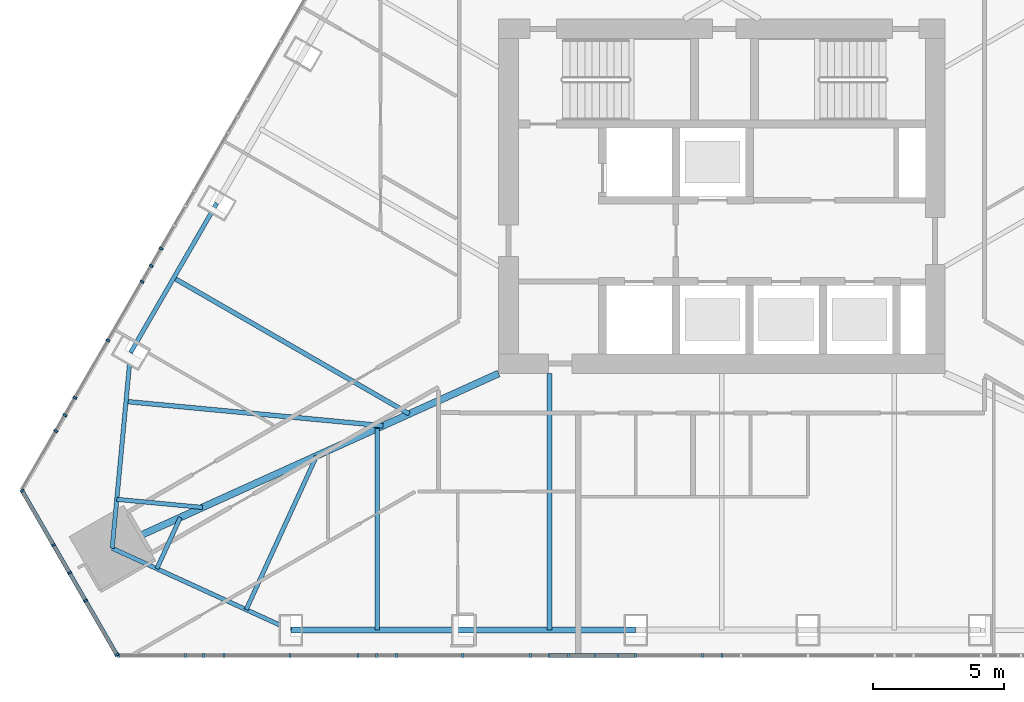
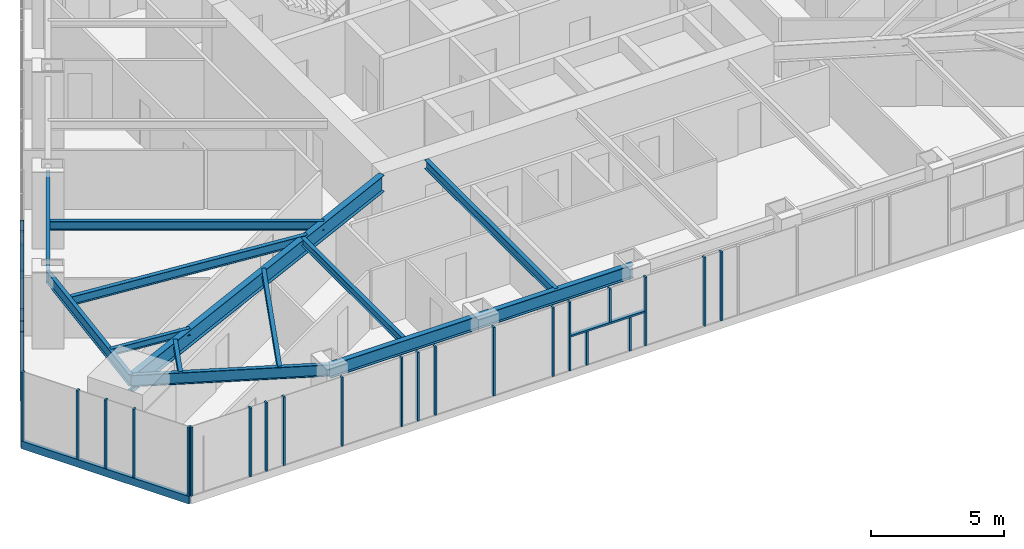
# One storey, part 2 of 20: 31 members, 12 beams, 3 elements without a shape of their own.
"""IFC4 building model written with IfcOpenShell, lengths in metres."""

from ifc_helpers import new_model, si_unit, direction, frame, origin, origin_2d, place, context, subcontext, project, spatial, rectangle, i_section, extrude, material, layer, layer_set, material_profile, profile_set, type_object, element, aggregate, save


model = new_model("IFC4")

# Units and contexts
model_context = context("Model", 3, precision=1e-05, world=origin(), true_north=direction((0.0, 1.0)))
body_context = subcontext(model_context, "Body", "Model", "MODEL_VIEW")
ifc_project = project(units=[si_unit("LENGTHUNIT", "METRE"), si_unit("AREAUNIT", "SQUARE_METRE"), si_unit("VOLUMEUNIT", "CUBIC_METRE"), si_unit("PLANEANGLEUNIT", "RADIAN"), si_unit("MASSUNIT", "GRAM", prefix="KILO")], contexts=[model_context])

# Site, building, storey
site_placement = place(None, origin())
site = spatial("IfcSite", under=ifc_project, at=site_placement, CompositionType="ELEMENT")
building_placement = place(site_placement, origin())
building = spatial("IfcBuilding", under=site, at=building_placement, Name="Firuza Gate Tower and Library", CompositionType="ELEMENT")
storey_placement = place(building_placement, frame((0.0, 0.0, 277.60009765625)))
storey = spatial("IfcBuildingStorey", under=building, at=storey_placement, Name="L66", CompositionType="ELEMENT", Elevation=277.60009765625)

# Curtain wall, members
ifc_material_1 = material(Name="Aluminium 6063-T6", Category="aluminium")
ifc_layer_1 = layer(ifc_material_1, 0.14990234375)
ifc_layer_set_1 = layer_set([ifc_layer_1], Name="Unitised curtain wall, residences")
curtain_wall_type_1 = type_object("IfcCurtainWallType", Name="Unitised curtain wall, residences", PredefinedType="NOTDEFINED", material=ifc_layer_set_1)
placement = place(storey_placement, origin())
curtain_wall_1 = element("IfcCurtainWall", 1, at=placement, inside=storey, type_object=curtain_wall_type_1, Name="CW3 L66 S face", PredefinedType="NOTDEFINED")
ifc_material_2 = material(Name="Aluminium 6063-T6", Category="aluminium")
ifc_material_profile_1 = material_profile(ifc_material_2, rectangle(XDim=0.14990234375, YDim=0.080078125, at=origin_2d()))
ifc_profile_set_1 = profile_set([ifc_material_profile_1], Name="Aluminium 6063-T6")
member_type_1 = type_object("IfcMemberType", Name="Curtain wall mullion 80x150", PredefinedType="MULLION", material=ifc_profile_set_1)
member_1_placement = place(storey_placement, frame((52.01806640625, 57.501220703125, 0.14990234375), z_axis=(0.0, 0.0, 1.0), x_axis=(0.0, 1.0, 0.0)))
member_1 = element("IfcMember", 2, at=member_1_placement, type_object=member_type_1, Name="Mullion", PredefinedType="MULLION", context=body_context, shape_type="SweptSolid", body=[
    extrude(rectangle(XDim=0.14990234375, YDim=0.080078125, at=origin_2d()), origin(), (0.0, 0.0, 1.0), 3.14990234375),
])
member_2_placement = place(storey_placement, frame((55.266845703125, 57.501220703125, 0.14990234375), z_axis=(0.0, 0.0, 1.0), x_axis=(0.0, 1.0, 0.0)))
member_2 = element("IfcMember", 3, at=member_2_placement, type_object=member_type_1, Name="Mullion", PredefinedType="MULLION", context=body_context, shape_type="SweptSolid", body=[
    extrude(rectangle(XDim=0.14990234375, YDim=0.080078125, at=origin_2d()), origin(), (0.0, 0.0, 1.0), 3.14990234375),
])
member_3_placement = place(storey_placement, frame((58.5556640625, 57.501220703125, 0.14990234375), z_axis=(0.0, 0.0, 1.0), x_axis=(0.0, 1.0, 0.0)))
member_3 = element("IfcMember", 4, at=member_3_placement, type_object=member_type_1, Name="Mullion", PredefinedType="MULLION", context=body_context, shape_type="SweptSolid", body=[
    extrude(rectangle(XDim=0.14990234375, YDim=0.080078125, at=origin_2d()), origin(), (0.0, 0.0, 1.0), 3.14990234375),
])
member_4_placement = place(storey_placement, frame((61.844482421875, 57.501220703125, 0.14990234375), z_axis=(0.0, 0.0, 1.0), x_axis=(0.0, 1.0, 0.0)))
member_4 = element("IfcMember", 5, at=member_4_placement, type_object=member_type_1, Name="Mullion", PredefinedType="MULLION", context=body_context, shape_type="SweptSolid", body=[
    extrude(rectangle(XDim=0.14990234375, YDim=0.080078125, at=origin_2d()), origin(), (0.0, 0.0, 1.0), 3.14990234375),
])
member_5_placement = place(storey_placement, frame((65.133544921875, 57.501220703125, 0.14990234375), z_axis=(0.0, 0.0, 1.0), x_axis=(0.0, 1.0, 0.0)))
member_5 = element("IfcMember", 6, at=member_5_placement, type_object=member_type_1, Name="Mullion", PredefinedType="MULLION", context=body_context, shape_type="SweptSolid", body=[
    extrude(rectangle(XDim=0.14990234375, YDim=0.080078125, at=origin_2d()), origin(), (0.0, 0.0, 1.0), 3.14990234375),
])
member_6_placement = place(storey_placement, frame((68.42236328125, 57.501220703125, 0.14990234375), z_axis=(0.0, 0.0, 1.0), x_axis=(0.0, 1.0, 0.0)))
member_6 = element("IfcMember", 7, at=member_6_placement, type_object=member_type_1, Name="Mullion", PredefinedType="MULLION", context=body_context, shape_type="SweptSolid", body=[
    extrude(rectangle(XDim=0.14990234375, YDim=0.080078125, at=origin_2d()), origin(), (0.0, 0.0, 1.0), 3.14990234375),
])
member_7_placement = place(storey_placement, frame((71.711181640625, 57.501220703125, 0.14990234375), z_axis=(0.0, 0.0, 1.0), x_axis=(0.0, 1.0, 0.0)))
member_7 = element("IfcMember", 8, at=member_7_placement, type_object=member_type_1, Name="Mullion", PredefinedType="MULLION", context=body_context, shape_type="SweptSolid", body=[
    extrude(rectangle(XDim=0.14990234375, YDim=0.080078125, at=origin_2d()), origin(), (0.0, 0.0, 1.0), 3.14990234375),
])
member_8_placement = place(storey_placement, frame((75.0, 57.501220703125, 0.14990234375), z_axis=(0.0, 0.0, 1.0), x_axis=(0.0, 1.0, 0.0)))
member_8 = element("IfcMember", 9, at=member_8_placement, type_object=member_type_1, Name="Mullion", PredefinedType="MULLION", context=body_context, shape_type="SweptSolid", body=[
    extrude(rectangle(XDim=0.14990234375, YDim=0.080078125, at=origin_2d()), origin(), (0.0, 0.0, 1.0), 3.14990234375),
])
member_9_placement = place(storey_placement, frame((54.57373046875, 57.501220703125, 0.14990234375), z_axis=(0.0, 0.0, 1.0), x_axis=(0.0, 1.0, 0.0)))
member_9 = element("IfcMember", 10, at=member_9_placement, type_object=member_type_1, Name="Mullion", PredefinedType="MULLION", context=body_context, shape_type="SweptSolid", body=[
    extrude(rectangle(XDim=0.14990234375, YDim=0.080078125, at=origin_2d()), origin(), (0.0, 0.0, 1.0), 3.14990234375),
])
member_10_placement = place(storey_placement, frame((56.0341796875, 57.501220703125, 0.14990234375), z_axis=(0.0, 0.0, 1.0), x_axis=(0.0, 1.0, 0.0)))
member_10 = element("IfcMember", 11, at=member_10_placement, type_object=member_type_1, Name="Mullion", PredefinedType="MULLION", context=body_context, shape_type="SweptSolid", body=[
    extrude(rectangle(XDim=0.14990234375, YDim=0.080078125, at=origin_2d()), origin(), (0.0, 0.0, 1.0), 3.14990234375),
])
member_11_placement = place(storey_placement, frame((61.13916015625, 57.501220703125, 0.14990234375), z_axis=(0.0, 0.0, 1.0), x_axis=(0.0, 1.0, 0.0)))
member_11 = element("IfcMember", 12, at=member_11_placement, type_object=member_type_1, Name="Mullion", PredefinedType="MULLION", context=body_context, shape_type="SweptSolid", body=[
    extrude(rectangle(XDim=0.14990234375, YDim=0.080078125, at=origin_2d()), origin(), (0.0, 0.0, 1.0), 3.14990234375),
])
member_12_placement = place(storey_placement, frame((62.599609375, 57.501220703125, 0.14990234375), z_axis=(0.0, 0.0, 1.0), x_axis=(0.0, 1.0, 0.0)))
member_12 = element("IfcMember", 13, at=member_12_placement, type_object=member_type_1, Name="Mullion", PredefinedType="MULLION", context=body_context, shape_type="SweptSolid", body=[
    extrude(rectangle(XDim=0.14990234375, YDim=0.080078125, at=origin_2d()), origin(), (0.0, 0.0, 1.0), 3.14990234375),
])
member_13_placement = place(storey_placement, frame((67.704345703125, 57.501220703125, 0.14990234375), z_axis=(0.0, 0.0, 1.0), x_axis=(0.0, 1.0, 0.0)))
member_13 = element("IfcMember", 14, at=member_13_placement, type_object=member_type_1, Name="Mullion", PredefinedType="MULLION", context=body_context, shape_type="SweptSolid", body=[
    extrude(rectangle(XDim=0.14990234375, YDim=0.080078125, at=origin_2d()), origin(), (0.0, 0.0, 1.0), 3.14990234375),
])
member_14_placement = place(storey_placement, frame((69.164794921875, 57.501220703125, 0.14990234375), z_axis=(0.0, 0.0, 1.0), x_axis=(0.0, 1.0, 0.0)))
member_14 = element("IfcMember", 15, at=member_14_placement, type_object=member_type_1, Name="Mullion", PredefinedType="MULLION", context=body_context, shape_type="SweptSolid", body=[
    extrude(rectangle(XDim=0.14990234375, YDim=0.080078125, at=origin_2d()), origin(), (0.0, 0.0, 1.0), 1.534912109375),
])
member_15_placement = place(storey_placement, frame((71.040283203125, 57.501220703125, 0.14990234375), z_axis=(0.0, 0.0, 1.0), x_axis=(0.0, 1.0, 0.0)))
member_15 = element("IfcMember", 16, at=member_15_placement, type_object=member_type_1, Name="Mullion", PredefinedType="MULLION", context=body_context, shape_type="SweptSolid", body=[
    extrude(rectangle(XDim=0.14990234375, YDim=0.080078125, at=origin_2d()), origin(), (0.0, 0.0, 1.0), 1.534912109375),
])
member_16_placement = place(storey_placement, frame((70.1748046875, 57.501220703125, 1.764892578125), z_axis=(0.0, 0.0, 1.0), x_axis=(0.0, 1.0, 0.0)))
member_16 = element("IfcMember", 17, at=member_16_placement, type_object=member_type_1, Name="Mullion", PredefinedType="MULLION", context=body_context, shape_type="SweptSolid", body=[
    extrude(rectangle(XDim=0.14990234375, YDim=0.080078125, at=origin_2d()), origin(), (0.0, 0.0, 1.0), 1.534912109375),
])
member_17_placement = place(storey_placement, frame((74.269775390625, 57.501220703125, 0.14990234375), z_axis=(0.0, 0.0, 1.0), x_axis=(0.0, 1.0, 0.0)))
member_17 = element("IfcMember", 18, at=member_17_placement, type_object=member_type_1, Name="Mullion", PredefinedType="MULLION", context=body_context, shape_type="SweptSolid", body=[
    extrude(rectangle(XDim=0.14990234375, YDim=0.080078125, at=origin_2d()), origin(), (0.0, 0.0, 1.0), 3.14990234375),
])

curtain_wall_2 = element("IfcCurtainWall", 19, at=placement, inside=storey, type_object=curtain_wall_type_1, Name="CW3 L66 W face", PredefinedType="NOTDEFINED")
member_18_placement = place(storey_placement, frame((53.26806640625, 72.3564453125, 0.14990234375), z_axis=(0.0, 0.0, 1.0), x_axis=(0.866025403784, -0.5, 0.0)))
member_18 = element("IfcMember", 20, at=member_18_placement, type_object=member_type_1, Name="Mullion", PredefinedType="MULLION", context=body_context, shape_type="SweptSolid", body=[
    extrude(rectangle(XDim=0.14990234375, YDim=0.080078125, at=origin_2d()), origin(), (0.0, 0.0, 1.0), 3.14990234375),
])
member_19_placement = place(storey_placement, frame((51.62353515625, 69.50830078125, 0.14990234375), z_axis=(0.0, 0.0, 1.0), x_axis=(0.866025403784, -0.5, 0.0)))
member_19 = element("IfcMember", 21, at=member_19_placement, type_object=member_type_1, Name="Mullion", PredefinedType="MULLION", context=body_context, shape_type="SweptSolid", body=[
    extrude(rectangle(XDim=0.14990234375, YDim=0.080078125, at=origin_2d()), origin(), (0.0, 0.0, 1.0), 3.14990234375),
])
member_20_placement = place(storey_placement, frame((49.979248046875, 66.659912109375, 0.14990234375), z_axis=(0.0, 0.0, 1.0), x_axis=(0.866025403784, -0.5, 0.0)))
member_20 = element("IfcMember", 22, at=member_20_placement, type_object=member_type_1, Name="Mullion", PredefinedType="MULLION", context=body_context, shape_type="SweptSolid", body=[
    extrude(rectangle(XDim=0.14990234375, YDim=0.080078125, at=origin_2d()), origin(), (0.0, 0.0, 1.0), 3.14990234375),
])
member_21_placement = place(storey_placement, frame((53.6455078125, 73.01025390625, 0.14990234375), z_axis=(0.0, 0.0, 1.0), x_axis=(0.866025403784, -0.5, 0.0)))
member_21 = element("IfcMember", 23, at=member_21_placement, type_object=member_type_1, Name="Mullion", PredefinedType="MULLION", context=body_context, shape_type="SweptSolid", body=[
    extrude(rectangle(XDim=0.14990234375, YDim=0.080078125, at=origin_2d()), origin(), (0.0, 0.0, 1.0), 1.534912109375),
])
member_22_placement = place(storey_placement, frame((52.915283203125, 71.745361328125, 0.14990234375), z_axis=(0.0, 0.0, 1.0), x_axis=(0.866025403784, -0.5, 0.0)))
member_22 = element("IfcMember", 24, at=member_22_placement, type_object=member_type_1, Name="Mullion", PredefinedType="MULLION", context=body_context, shape_type="SweptSolid", body=[
    extrude(rectangle(XDim=0.14990234375, YDim=0.080078125, at=origin_2d()), origin(), (0.0, 0.0, 1.0), 3.14990234375),
])
member_23_placement = place(storey_placement, frame((50.36279296875, 67.324462890625, 0.14990234375), z_axis=(0.0, 0.0, 1.0), x_axis=(0.866025403784, -0.5, 0.0)))
member_23 = element("IfcMember", 25, at=member_23_placement, type_object=member_type_1, Name="Mullion", PredefinedType="MULLION", context=body_context, shape_type="SweptSolid", body=[
    extrude(rectangle(XDim=0.14990234375, YDim=0.080078125, at=origin_2d()), origin(), (0.0, 0.0, 1.0), 3.14990234375),
])
member_24_placement = place(storey_placement, frame((49.632568359375, 66.059814453125, 0.14990234375), z_axis=(0.0, 0.0, 1.0), x_axis=(0.866025403784, -0.5, 0.0)))
member_24 = element("IfcMember", 26, at=member_24_placement, type_object=member_type_1, Name="Mullion", PredefinedType="MULLION", context=body_context, shape_type="SweptSolid", body=[
    extrude(rectangle(XDim=0.14990234375, YDim=0.080078125, at=origin_2d()), origin(), (0.0, 0.0, 1.0), 3.14990234375),
])
aggregate(curtain_wall_2, [member_18, member_19, member_20, member_21, member_22, member_23, member_24])

ifc_material_3 = material(Name="Aluminium 6063-T6", Category="aluminium")
ifc_layer_2 = layer(ifc_material_3, 0.14990234375)
ifc_layer_set_2 = layer_set([ifc_layer_2], Name="Corner curtain wall, chamfers")
curtain_wall_type_2 = type_object("IfcCurtainWallType", Name="Corner curtain wall, chamfers", PredefinedType="NOTDEFINED", material=ifc_layer_set_2)
curtain_wall_3 = element("IfcCurtainWall", 27, at=placement, inside=storey, type_object=curtain_wall_type_2, Name="CW4 L66 SW corner", PredefinedType="NOTDEFINED")
member_25_placement = place(storey_placement, frame((48.354736328125, 63.777099609375, 0.14990234375), z_axis=(0.0, 0.0, 1.0), x_axis=(0.866025403784, 0.5, 0.0)))
member_25 = element("IfcMember", 28, at=member_25_placement, type_object=member_type_1, Name="Mullion", PredefinedType="MULLION", context=body_context, shape_type="SweptSolid", body=[
    extrude(rectangle(XDim=0.14990234375, YDim=0.080078125, at=origin_2d()), origin(), (0.0, 0.0, 1.0), 3.14990234375),
])
member_26_placement = place(storey_placement, frame((50.156494140625, 60.656494140625, 0.14990234375), z_axis=(0.0, 0.0, 1.0), x_axis=(0.866025403784, 0.5, 0.0)))
member_26 = element("IfcMember", 29, at=member_26_placement, type_object=member_type_1, Name="Mullion", PredefinedType="MULLION", context=body_context, shape_type="SweptSolid", body=[
    extrude(rectangle(XDim=0.14990234375, YDim=0.080078125, at=origin_2d()), origin(), (0.0, 0.0, 1.0), 3.14990234375),
])
member_27_placement = place(storey_placement, frame((51.9580078125, 57.535888671875, 0.14990234375), z_axis=(0.0, 0.0, 1.0), x_axis=(0.866025403784, 0.5, 0.0)))
member_27 = element("IfcMember", 30, at=member_27_placement, type_object=member_type_1, Name="Mullion", PredefinedType="MULLION", context=body_context, shape_type="SweptSolid", body=[
    extrude(rectangle(XDim=0.14990234375, YDim=0.080078125, at=origin_2d()), origin(), (0.0, 0.0, 1.0), 3.14990234375),
])
member_28_placement = place(storey_placement, frame((49.54541015625, 61.71484375, 0.14990234375), z_axis=(0.0, 0.0, 1.0), x_axis=(0.866025403784, 0.5, 0.0)))
member_28 = element("IfcMember", 31, at=member_28_placement, type_object=member_type_1, Name="Mullion", PredefinedType="MULLION", context=body_context, shape_type="SweptSolid", body=[
    extrude(rectangle(XDim=0.14990234375, YDim=0.080078125, at=origin_2d()), origin(), (0.0, 0.0, 1.0), 3.14990234375),
])
member_29_placement = place(storey_placement, frame((50.767578125, 59.59814453125, 0.14990234375), z_axis=(0.0, 0.0, 1.0), x_axis=(0.866025403784, 0.5, 0.0)))
member_29 = element("IfcMember", 32, at=member_29_placement, type_object=member_type_1, Name="Mullion", PredefinedType="MULLION", context=body_context, shape_type="SweptSolid", body=[
    extrude(rectangle(XDim=0.14990234375, YDim=0.080078125, at=origin_2d()), origin(), (0.0, 0.0, 1.0), 3.14990234375),
])
ifc_material_4 = material(Name="Aluminium 6063-T6", Category="aluminium")
ifc_material_profile_2 = material_profile(ifc_material_4, rectangle(XDim=0.14990234375, YDim=0.35009765625, at=origin_2d()))
ifc_profile_set_2 = profile_set([ifc_material_profile_2], Name="Aluminium 6063-T6")
member_type_2 = type_object("IfcMemberType", Name="Curtain wall transom 350x150", PredefinedType="USERDEFINED", material=ifc_profile_set_2)
member_30_placement = place(storey_placement, frame((48.334716796875, 63.811767578125, -0.025146484375), z_axis=(0.499991211061, -0.866030478021, 0.0), x_axis=(0.866030478021, 0.499991211061, 0.0)))
member_30 = element("IfcMember", 33, at=member_30_placement, type_object=member_type_2, Name="Transom", ObjectType="TRANSOM", PredefinedType="USERDEFINED", context=body_context, shape_type="SweptSolid", body=[
    extrude(rectangle(XDim=0.14990234375, YDim=0.35009765625, at=origin_2d()), origin(), (0.0, 0.0, 1.0), 7.286865234375),
])
aggregate(curtain_wall_3, [member_25, member_26, member_27, member_30, member_28, member_29])

# Member
ifc_material_5 = material(Name="Aluminium 6063-T6", Category="aluminium")
ifc_material_profile_3 = material_profile(ifc_material_5, rectangle(XDim=0.14990234375, YDim=0.080078125, at=origin_2d()))
ifc_profile_set_3 = profile_set([ifc_material_profile_3], Name="Aluminium 6063-T6")
member_type_3 = type_object("IfcMemberType", Name="Curtain wall transom 80x150", PredefinedType="USERDEFINED", material=ifc_profile_set_3)
member_31_placement = place(storey_placement, frame((68.46240234375, 57.501220703125, 1.724853515625), z_axis=(1.0, 0.0, 0.0), x_axis=(0.0, 1.0, 0.0)))
member_31 = element("IfcMember", 34, at=member_31_placement, type_object=member_type_3, Name="Transom", ObjectType="TRANSOM", PredefinedType="USERDEFINED", context=body_context, shape_type="SweptSolid", body=[
    extrude(rectangle(XDim=0.14990234375, YDim=0.080078125, at=origin_2d()), origin(), (0.0, 0.0, 1.0), 3.208740234375),
])

aggregate(curtain_wall_1, [member_1, member_2, member_3, member_4, member_5, member_6, member_7, member_8, member_9, member_10, member_11, member_12, member_13, member_14, member_15, member_16, member_31, member_17])

# Beams
ifc_material_6 = material(Name="Steel S355", Category="steel")
ifc_material_profile_4 = material_profile(ifc_material_6, i_section(OverallWidth=0.1650390625, OverallDepth=0.31005859375, WebThickness=0.005859375, FlangeThickness=0.009765625, at=origin_2d()))
ifc_profile_set_4 = profile_set([ifc_material_profile_4], Name="Steel S355")
beam_type_1 = type_object("IfcBeamType", Name="W310x39 Floor beam", PredefinedType="JOIST", material=ifc_profile_set_4)
beam_1_placement = place(storey_placement, frame((51.9560546875, 63.457275390625, 3.14501953125), z_axis=(0.995581079201, -0.09390588233, 0.0), x_axis=(0.09390588233, 0.995581079201, 0.0)))
element("IfcBeam", 35, at=beam_1_placement, inside=storey, type_object=beam_type_1, Name="Floor beam L66 s01", PredefinedType="JOIST", context=body_context, shape_type="SweptSolid", body=[
    extrude(i_section(OverallWidth=0.1650390625, OverallDepth=0.31005859375, WebThickness=0.005859375, FlangeThickness=0.009765625, at=origin_2d()), origin(), (0.0, 0.0, 1.0), 3.2783203125),
])
beam_2_placement = place(storey_placement, frame((53.481689453125, 60.814697265625, 3.14501953125), z_axis=(0.416455154512, 0.909156259551, 0.0), x_axis=(-0.909156259551, 0.416455154512, 0.0)))
element("IfcBeam", 36, at=beam_2_placement, inside=storey, type_object=beam_type_1, Name="Floor beam L66 s10", PredefinedType="JOIST", context=body_context, shape_type="SweptSolid", body=[
    extrude(i_section(OverallWidth=0.1650390625, OverallDepth=0.31005859375, WebThickness=0.005859375, FlangeThickness=0.009765625, at=origin_2d()), origin(), (0.0, 0.0, 1.0), 2.1484375),
])
beam_3_placement = place(storey_placement, frame((56.885009765625, 59.255859375, 3.14501953125), z_axis=(0.416440813943, 0.909162828366, 0.0), x_axis=(-0.909162828366, 0.416440813943, 0.0)))
element("IfcBeam", 37, at=beam_3_placement, inside=storey, type_object=beam_type_1, Name="Floor beam L66 s11", PredefinedType="JOIST", context=body_context, shape_type="SweptSolid", body=[
    extrude(i_section(OverallWidth=0.1650390625, OverallDepth=0.31005859375, WebThickness=0.005859375, FlangeThickness=0.009765625, at=origin_2d()), origin(), (0.0, 0.0, 1.0), 6.44580078125),
])
ifc_material_7 = material(Name="Steel S355", Category="steel")
ifc_material_profile_5 = material_profile(ifc_material_7, i_section(OverallWidth=0.1708984375, OverallDepth=0.35498046875, WebThickness=0.007080078125, FlangeThickness=0.01171875, at=origin_2d()))
ifc_profile_set_5 = profile_set([ifc_material_profile_5], Name="Steel S355")
beam_type_2 = type_object("IfcBeamType", Name="W360x51 Floor beam", PredefinedType="JOIST", material=ifc_profile_set_5)
beam_4_placement = place(storey_placement, frame((61.869384765625, 58.476318359375, 3.122314453125), z_axis=(0.0, 1.0, 0.0), x_axis=(-1.0, 0.0, 0.0)))
element("IfcBeam", 38, at=beam_4_placement, inside=storey, type_object=beam_type_2, Name="Floor beam L66 s20", PredefinedType="JOIST", context=body_context, shape_type="SweptSolid", body=[
    extrude(i_section(OverallWidth=0.1708984375, OverallDepth=0.35498046875, WebThickness=0.007080078125, FlangeThickness=0.01171875, at=origin_2d()), origin(), (0.0, 0.0, 1.0), 7.6796875),
])
ifc_material_8 = material(Name="Steel S355", Category="steel")
ifc_material_profile_6 = material_profile(ifc_material_8, i_section(OverallWidth=0.177978515625, OverallDepth=0.406982421875, WebThickness=0.0078125, FlangeThickness=0.0126953125, at=origin_2d()))
ifc_profile_set_6 = profile_set([ifc_material_profile_6], Name="Steel S355")
beam_type_3 = type_object("IfcBeamType", Name="W410x60 Floor beam", PredefinedType="JOIST", material=ifc_profile_set_6)
beam_5_placement = place(storey_placement, frame((52.3076171875, 67.18408203125, 3.096435546875), z_axis=(0.99557897717, -0.093928165194, 0.0), x_axis=(0.093928165194, 0.99557897717, 0.0)))
element("IfcBeam", 39, at=beam_5_placement, inside=storey, type_object=beam_type_3, Name="Floor beam L66 s00", PredefinedType="JOIST", context=body_context, shape_type="SweptSolid", body=[
    extrude(i_section(OverallWidth=0.177978515625, OverallDepth=0.406982421875, WebThickness=0.0078125, FlangeThickness=0.0126953125, at=origin_2d()), origin(), (0.0, 0.0, 1.0), 9.83544921875),
])
beam_6_placement = place(storey_placement, frame((68.4345703125, 58.476318359375, 3.096435546875), z_axis=(0.0, 1.0, 0.0), x_axis=(-1.0, 0.0, 0.0)))
element("IfcBeam", 40, at=beam_6_placement, inside=storey, type_object=beam_type_3, Name="Floor beam L66 s21", PredefinedType="JOIST", context=body_context, shape_type="SweptSolid", body=[
    extrude(i_section(OverallWidth=0.177978515625, OverallDepth=0.406982421875, WebThickness=0.0078125, FlangeThickness=0.0126953125, at=origin_2d()), origin(), (0.0, 0.0, 1.0), 9.773681640625),
])
beam_7_placement = place(storey_placement, frame((54.124755859375, 71.890380859375, 3.096435546875), z_axis=(0.866018392704, -0.500012143352, 0.0), x_axis=(0.500012143352, 0.866018392704, 0.0)))
element("IfcBeam", 41, at=beam_7_placement, inside=storey, type_object=beam_type_3, Name="Floor beam L66 s84", PredefinedType="JOIST", context=body_context, shape_type="SweptSolid", body=[
    extrude(i_section(OverallWidth=0.177978515625, OverallDepth=0.406982421875, WebThickness=0.0078125, FlangeThickness=0.0126953125, at=origin_2d()), origin(), (0.0, 0.0, 1.0), 10.359130859375),
])
ifc_material_9 = material(Name="Steel S355", Category="steel")
ifc_material_profile_7 = material_profile(ifc_material_9, i_section(OverallWidth=0.166015625, OverallDepth=0.534912109375, WebThickness=0.01025390625, FlangeThickness=0.0166015625, at=origin_2d()))
ifc_profile_set_7 = profile_set([ifc_material_profile_7], Name="Steel S355")
beam_type_4 = type_object("IfcBeamType", Name="W530x85 Edge beam", PredefinedType="SPANDREL", material=ifc_profile_set_7)
beam_8_placement = place(storey_placement, frame((52.4833984375, 69.04736328125, 3.032470703125), z_axis=(-0.093919545229, -0.995579790385, 0.0), x_axis=(0.995579790385, -0.093919545229, 0.0)))
element("IfcBeam", 42, at=beam_8_placement, inside=storey, type_object=beam_type_4, Name="Edge beam L66 e00", PredefinedType="SPANDREL", context=body_context, shape_type="SweptSolid", body=[
    extrude(i_section(OverallWidth=0.166015625, OverallDepth=0.534912109375, WebThickness=0.01025390625, FlangeThickness=0.0166015625, at=origin_2d()), origin(), (0.0, 0.0, 1.0), 7.486572265625),
])
beam_9_placement = place(storey_placement, frame((51.7802734375, 61.593994140625, 3.032470703125), z_axis=(0.909162069669, -0.416442470306, 0.0), x_axis=(0.416442470306, 0.909162069669, 0.0)))
element("IfcBeam", 43, at=beam_9_placement, inside=storey, type_object=beam_type_4, Name="Edge beam L66 e10", PredefinedType="SPANDREL", context=body_context, shape_type="SweptSolid", body=[
    extrude(i_section(OverallWidth=0.166015625, OverallDepth=0.534912109375, WebThickness=0.01025390625, FlangeThickness=0.0166015625, at=origin_2d()), origin(), (0.0, 0.0, 1.0), 7.486328125),
])
beam_10_placement = place(storey_placement, frame((55.76611328125, 74.733154296875, 3.032470703125), z_axis=(-0.500002498361, -0.86602396135, 0.0), x_axis=(0.86602396135, -0.500002498361, 0.0)))
element("IfcBeam", 44, at=beam_10_placement, inside=storey, type_object=beam_type_4, Name="Edge beam L66 e84", PredefinedType="SPANDREL", context=body_context, shape_type="SweptSolid", body=[
    extrude(i_section(OverallWidth=0.166015625, OverallDepth=0.534912109375, WebThickness=0.01025390625, FlangeThickness=0.0166015625, at=origin_2d()), origin(), (0.0, 0.0, 1.0), 6.5654296875),
])
ifc_material_10 = material(Name="Steel S355", Category="steel")
ifc_material_profile_8 = material_profile(ifc_material_10, i_section(OverallWidth=0.22900390625, OverallDepth=0.612060546875, WebThickness=0.011962890625, FlangeThickness=0.01953125, at=origin_2d()))
ifc_profile_set_8 = profile_set([ifc_material_profile_8], Name="Steel S355")
beam_type_5 = type_object("IfcBeamType", Name="W610x125 Edge beam", PredefinedType="SPANDREL", material=ifc_profile_set_8)
beam_11_placement = place(storey_placement, frame((58.586669921875, 58.476318359375, 2.993896484375), z_axis=(1.0, 0.0, 0.0), x_axis=(0.0, 1.0, 0.0)))
element("IfcBeam", 45, at=beam_11_placement, inside=storey, type_object=beam_type_5, Name="Edge beam L66 e20", PredefinedType="SPANDREL", context=body_context, shape_type="SweptSolid", body=[
    extrude(i_section(OverallWidth=0.22900390625, OverallDepth=0.612060546875, WebThickness=0.011962890625, FlangeThickness=0.01953125, at=origin_2d()), origin(), (0.0, 0.0, 1.0), 13.130615234375),
])
ifc_material_11 = material(Name="Steel S355", Category="steel")
ifc_material_profile_9 = material_profile(ifc_material_11, i_section(OverallWidth=0.264892578125, OverallDepth=0.7529296875, WebThickness=0.01318359375, FlangeThickness=0.01708984375, at=origin_2d()))
ifc_profile_set_9 = profile_set([ifc_material_profile_9], Name="Steel S355")
beam_type_6 = type_object("IfcBeamType", Name="W760x147 Girder", PredefinedType="BEAM", material=ifc_profile_set_9)
beam_12_placement = place(storey_placement, frame((51.7802734375, 61.593994140625, 2.92333984375), z_axis=(0.911175743471, 0.412017917705, 0.0), x_axis=(-0.412017917705, 0.911175743471, 0.0)))
element("IfcBeam", 46, at=beam_12_placement, inside=storey, type_object=beam_type_6, Name="Girder L66 gSW", PredefinedType="BEAM", context=body_context, shape_type="SweptSolid", body=[
    extrude(i_section(OverallWidth=0.264892578125, OverallDepth=0.7529296875, WebThickness=0.01318359375, FlangeThickness=0.01708984375, at=origin_2d()), origin(), (0.0, 0.0, 1.0), 16.154541015625),
])

save(model, "model.ifc")
